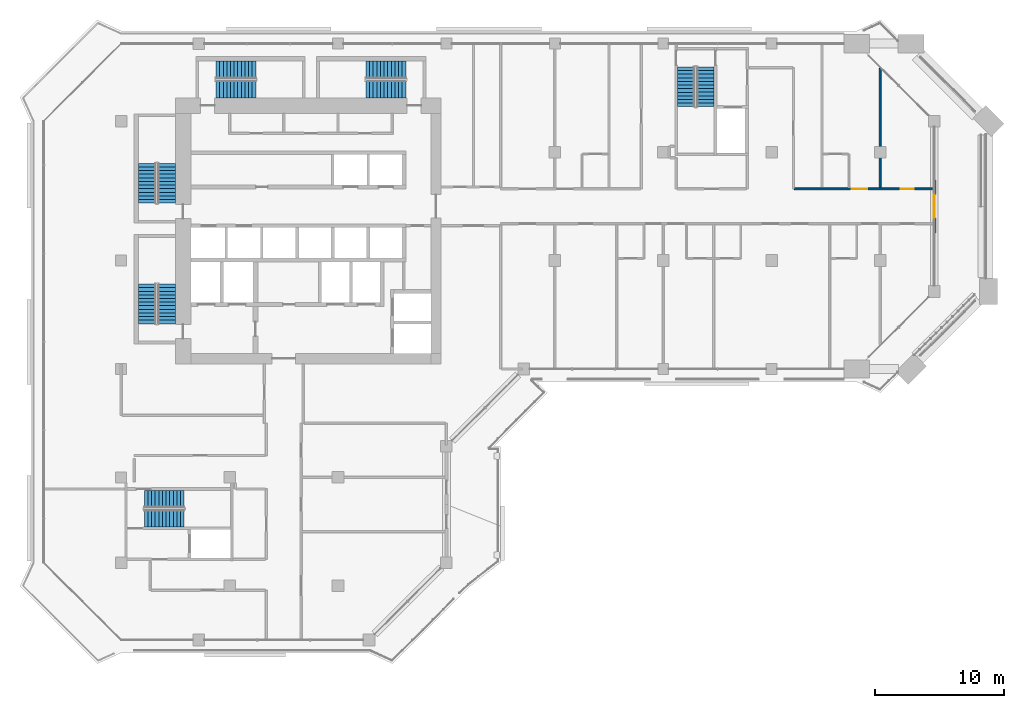
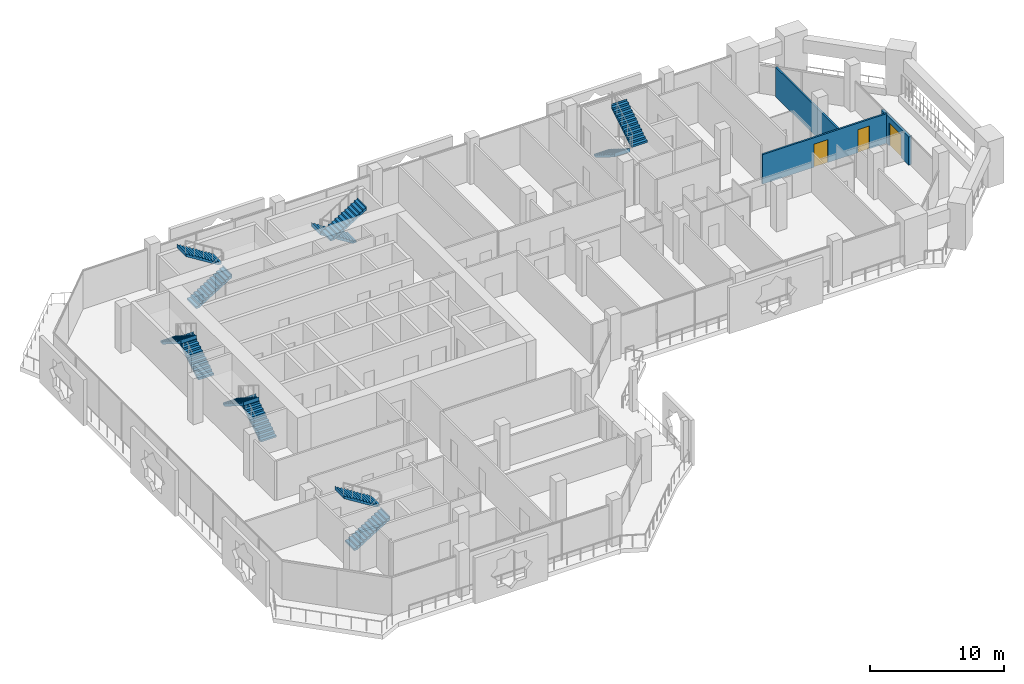
# One storey, part 14 of 21: 12 stair flights, 3 doors, 3 walls, 3 openings, 6 elements without a shape of their own.
"""IFC4 building model written with IfcOpenShell, lengths in metres."""

from ifc_helpers import new_model, si_unit, direction, frame, frame_2d, origin, place, context, subcontext, project, spatial, polyline, rectangle, outline, extrude, material, layer, layer_set, type_object, element, fill, aggregate, save


model = new_model("IFC4")

# Units and contexts
model_context = context("Model", 3, precision=1e-05, world=origin(), true_north=direction((0.0, 1.0)))
body_context = subcontext(model_context, "Body", "Model", "MODEL_VIEW")
ifc_project = project(units=[si_unit("LENGTHUNIT", "METRE"), si_unit("AREAUNIT", "SQUARE_METRE"), si_unit("VOLUMEUNIT", "CUBIC_METRE"), si_unit("PLANEANGLEUNIT", "RADIAN"), si_unit("MASSUNIT", "GRAM", prefix="KILO")], contexts=[model_context])

# Site, building, storey
site_placement = place(None, origin())
site = spatial("IfcSite", under=ifc_project, at=site_placement, CompositionType="ELEMENT")
building_placement = place(site_placement, origin())
building = spatial("IfcBuilding", under=site, at=building_placement, Name="Kawkab Arch Medical Tower", CompositionType="ELEMENT")
storey_placement = place(building_placement, frame((0.0, 0.0, 230.60009765625)))
storey = spatial("IfcBuildingStorey", under=building, at=storey_placement, Name="L53", CompositionType="ELEMENT", Elevation=230.60009765625)

# Wall, opening, door
ifc_material_1 = material(Name="Bronze clad insulated wall panel")
ifc_layer_1 = layer(ifc_material_1, 0.25)
ifc_layer_set_1 = layer_set([ifc_layer_1], Name="Bronze clad insulated wall panel")
wall_type_1 = type_object("IfcWallType", Name="External wall bay 250", PredefinedType="SOLIDWALL", material=ifc_layer_set_1)
wall_1_placement = place(storey_placement, frame((63.0, -14.64990234375, 0.0), z_axis=(0.0, 0.0, 1.0), x_axis=(0.0, 1.0, 0.0)))
wall_1 = element("IfcWall", 1, at=wall_1_placement, inside=storey, type_object=wall_type_1, Name="External wall bay L53.R09.1.2", PredefinedType="SOLIDWALL", context=body_context, shape_type="SweptSolid", body=[
    extrude(rectangle(XDim=4.099853515625, YDim=0.25, at=frame_2d((2.0498046875, 0.0))), origin(), (0.0, 0.0, 1.0), 2.579833984375),
])
opening_1_placement = place(wall_1_placement, frame((1.14990234375, 0.0, 0.0)))
opening_1 = element("IfcOpeningElement", 2, at=opening_1_placement, cuts=wall_1, Name="Opening W53-702", PredefinedType="OPENING", context=body_context, shape_type="SweptSolid", body=[
    extrude(rectangle(XDim=1.800048828125, YDim=2.10009765625, at=frame_2d((0.89990234375, 1.050048828125))), frame((0.0, 0.135009765625, 0.0), z_axis=(0.0, -1.0, 0.0), x_axis=(1.0, 0.0, 0.0)), (0.0, 0.0, 1.0), 0.27001953125),
])
ifc_material_2 = material(Name="Bronze anodised aluminium door with tinted glass", Category="aluminium")
door_type_1 = type_object("IfcDoorType", Name="Double external door 1800 x 2100", OperationType="DOUBLE_DOOR_SINGLE_SWING", PredefinedType="DOOR", material=ifc_material_2)
door_1_placement = place(opening_1_placement, origin())
door_1 = element("IfcDoor", 3, at=door_1_placement, inside=storey, type_object=door_type_1, Name="External door L53.R09.1.2", OperationType="DOUBLE_DOOR_SINGLE_SWING", OverallHeight=2.10009765625, OverallWidth=1.800048828125, PredefinedType="DOOR", context=body_context, shape_type="SweptSolid", body=[
    extrude(rectangle(XDim=1.800048828125, YDim=2.10009765625, at=frame_2d((0.89990234375, 1.050048828125))), frame((0.0, 0.02490234375, 0.0), z_axis=(0.0, -1.0, 0.0), x_axis=(1.0, 0.0, 0.0)), (0.0, 0.0, 1.0), 0.050048828125),
])
fill(opening_1, door_1)

# Wall, openings, doors
ifc_material_3 = material(Name="Gypsum board partition on steel studs, mineral wool", Category="steel")
ifc_layer_2 = layer(ifc_material_3, 0.14990234375)
ifc_layer_set_2 = layer_set([ifc_layer_2], Name="Gypsum board partition on steel studs, mineral wool")
wall_type_2 = type_object("IfcWallType", Name="Partition 150", PredefinedType="PARTITIONING", material=ifc_layer_set_2)
wall_2_placement = place(storey_placement, frame((52.16796875, -11.25, 0.0), z_axis=(0.0, 0.0, 1.0), x_axis=(1.0, 0.0, 0.0)))
wall_2 = element("IfcWall", 4, at=wall_2_placement, inside=storey, type_object=wall_type_2, Name="Partition 150 w026", PredefinedType="PARTITIONING", context=body_context, shape_type="SweptSolid", body=[
    extrude(rectangle(XDim=10.751953125, YDim=0.14990234375, at=frame_2d((5.3759765625, 0.0))), origin(), (0.0, 0.0, 1.0), 2.699951171875),
])
opening_2_placement = place(wall_2_placement, frame((4.431884765625, 0.0, 0.0)))
opening_2 = element("IfcOpeningElement", 5, at=opening_2_placement, cuts=wall_2, Name="Opening W53-025", PredefinedType="OPENING", context=body_context, shape_type="SweptSolid", body=[
    extrude(rectangle(XDim=1.199951171875, YDim=2.10009765625, at=frame_2d((0.60009765625, 1.050048828125))), frame((0.0, 0.0849609375, 0.0), z_axis=(0.0, -1.0, 0.0), x_axis=(1.0, 0.0, 0.0)), (0.0, 0.0, 1.0), 0.169921875),
])
opening_3_placement = place(wall_2_placement, frame((8.23193359375, 0.0, 0.0)))
opening_3 = element("IfcOpeningElement", 6, at=opening_3_placement, cuts=wall_2, Name="Opening W53-014", PredefinedType="OPENING", context=body_context, shape_type="SweptSolid", body=[
    extrude(rectangle(XDim=1.0, YDim=2.10009765625, at=frame_2d((0.5, 1.050048828125))), frame((0.0, 0.0849609375, 0.0), z_axis=(0.0, -1.0, 0.0), x_axis=(1.0, 0.0, 0.0)), (0.0, 0.0, 1.0), 0.169921875),
])
ifc_material_4 = material(Name="Hollow metal door leaf")
door_type_2 = type_object("IfcDoorType", Name="Single door 1000x2100 FD30S", OperationType="NOTDEFINED", PredefinedType="DOOR", material=ifc_material_4)
door_2_placement = place(opening_3_placement, origin())
door_2 = element("IfcDoor", 7, at=door_2_placement, inside=storey, type_object=door_type_2, Name="Door W53-014", OperationType="SINGLE_SWING_RIGHT", OverallHeight=2.10009765625, OverallWidth=1.0, PredefinedType="DOOR", context=body_context, shape_type="SweptSolid", body=[
    extrude(rectangle(XDim=1.0, YDim=2.10009765625, at=frame_2d((0.5, 1.050048828125))), frame((0.0, 0.02490234375, 0.0), z_axis=(0.0, -1.0, 0.0), x_axis=(1.0, 0.0, 0.0)), (0.0, 0.0, 1.0), 0.050048828125),
])
fill(opening_3, door_2)
ifc_material_5 = material(Name="Hollow metal door leaf")
door_type_3 = type_object("IfcDoorType", Name="Single door 1200x2100 FD30S", OperationType="NOTDEFINED", PredefinedType="DOOR", material=ifc_material_5)
door_3_placement = place(opening_2_placement, origin())
door_3 = element("IfcDoor", 8, at=door_3_placement, inside=storey, type_object=door_type_3, Name="Door W53-025", OperationType="SINGLE_SWING_LEFT", OverallHeight=2.10009765625, OverallWidth=1.199951171875, PredefinedType="DOOR", context=body_context, shape_type="SweptSolid", body=[
    extrude(rectangle(XDim=1.199951171875, YDim=2.10009765625, at=frame_2d((0.60009765625, 1.050048828125))), frame((0.0, 0.02490234375, 0.0), z_axis=(0.0, -1.0, 0.0), x_axis=(1.0, 0.0, 0.0)), (0.0, 0.0, 1.0), 0.050048828125),
])
fill(opening_2, door_3)

# Wall
wall_3_placement = place(storey_placement, frame((58.800048828125, -11.175048828125, 0.0), z_axis=(0.0, 0.0, 1.0), x_axis=(0.0, 1.0, 0.0)))
element("IfcWall", 9, at=wall_3_placement, inside=storey, type_object=wall_type_2, Name="Partition 150 w061", PredefinedType="PARTITIONING", context=body_context, shape_type="SweptSolid", body=[
    extrude(rectangle(XDim=9.261962890625, YDim=0.14990234375, at=frame_2d((4.630859375, 0.0))), origin(), (0.0, 0.0, 1.0), 2.699951171875),
])

# Stair, stair flights
ifc_material_6 = material(Name="Concrete C40/50", Category="concrete")
stair_type = type_object("IfcStairType", Name="Exit stair 1350", PredefinedType="HALF_TURN_STAIR", material=ifc_material_6)
placement = place(storey_placement, origin())
stair_1 = element("IfcStair", 10, at=placement, inside=storey, type_object=stair_type, Name="L53 Exit stair ST1", PredefinedType="HALF_TURN_STAIR")
ifc_material_7 = material(Name="Concrete C40/50", Category="concrete")
stair_flight_type = type_object("IfcStairFlightType", Name="Exit stair flight 1350", PredefinedType="STRAIGHT", material=ifc_material_7)
stair_flight_1_placement = place(storey_placement, frame((3.52490234375, -12.35009765625, 0.0), z_axis=(0.0, 0.0, 1.0), x_axis=(0.0, 1.0, 0.0)))
stair_flight_1 = element("IfcStairFlight", 11, at=stair_flight_1_placement, type_object=stair_flight_type, Name="ST1 flight 1", NumberOfRisers=12, NumberOfTreads=11, PredefinedType="STRAIGHT", RiserHeight=0.175, TreadLength=0.28, context=body_context, shape_type="SweptSolid", body=[
    extrude(outline(polyline([(-0.0029296875, 0.0), (-0.0029296875, 0.175048828125), (0.0, 0.175048828125), (0.280029296875, 0.175048828125), (0.280029296875, 0.35009765625), (0.56005859375, 0.35009765625), (0.56005859375, 0.52490234375), (0.840087890625, 0.52490234375), (0.840087890625, 0.699951171875), (1.1201171875, 0.699951171875), (1.1201171875, 0.875), (1.39990234375, 0.875), (1.39990234375, 1.050048828125), (1.679931640625, 1.050048828125), (1.679931640625, 1.22509765625), (1.9599609375, 1.22509765625), (1.9599609375, 1.39990234375), (2.239990234375, 1.39990234375), (2.239990234375, 1.574951171875), (2.52001953125, 1.574951171875), (2.52001953125, 1.75), (2.800048828125, 1.75), (2.800048828125, 1.925048828125), (3.080078125, 1.925048828125), (3.080078125, 2.10009765625), (3.0830078125, 2.10009765625), (3.0830078125, 1.748291015625), (3.080078125, 1.748291015625), (0.28271484375, 0.0), (-0.0029296875, 0.0)])), frame((0.0, 0.675048828125, 0.0), z_axis=(0.0, -1.0, 0.0), x_axis=(1.0, 0.0, 0.0)), (0.0, 0.0, 1.0), 1.35009765625),
])
stair_flight_2_placement = place(storey_placement, frame((2.02490234375, -9.27001953125, 2.099853515625), z_axis=(0.0, 0.0, 1.0), x_axis=(0.0, -1.0, 0.0)))
stair_flight_2 = element("IfcStairFlight", 12, at=stair_flight_2_placement, type_object=stair_flight_type, Name="ST1 flight 2", NumberOfRisers=12, NumberOfTreads=11, PredefinedType="STRAIGHT", RiserHeight=0.175, TreadLength=0.28, context=body_context, shape_type="SweptSolid", body=[
    extrude(outline(polyline([(-0.0029296875, 0.0), (-0.0029296875, 0.175048828125), (0.0, 0.175048828125), (0.280029296875, 0.175048828125), (0.280029296875, 0.35009765625), (0.56005859375, 0.35009765625), (0.56005859375, 0.52490234375), (0.840087890625, 0.52490234375), (0.840087890625, 0.699951171875), (1.1201171875, 0.699951171875), (1.1201171875, 0.875), (1.39990234375, 0.875), (1.39990234375, 1.050048828125), (1.679931640625, 1.050048828125), (1.679931640625, 1.22509765625), (1.9599609375, 1.22509765625), (1.9599609375, 1.39990234375), (2.239990234375, 1.39990234375), (2.239990234375, 1.574951171875), (2.52001953125, 1.574951171875), (2.52001953125, 1.75), (2.800048828125, 1.75), (2.800048828125, 1.925048828125), (3.080078125, 1.925048828125), (3.080078125, 2.10009765625), (3.0830078125, 2.10009765625), (3.0830078125, 1.748291015625), (3.080078125, 1.748291015625), (0.28271484375, 0.0), (-0.0029296875, 0.0)])), frame((0.0, 0.675048828125, 0.0), z_axis=(0.0, -1.0, 0.0), x_axis=(1.0, 0.0, 0.0)), (0.0, 0.0, 1.0), 1.35009765625),
])
aggregate(stair_1, [stair_flight_1, stair_flight_2])

stair_2 = element("IfcStair", 13, at=placement, inside=storey, type_object=stair_type, Name="L53 Exit stair ST2", PredefinedType="HALF_TURN_STAIR")
stair_flight_3_placement = place(storey_placement, frame((3.52490234375, -21.699951171875, 0.0), z_axis=(0.0, 0.0, 1.0), x_axis=(0.0, 1.0, 0.0)))
stair_flight_3 = element("IfcStairFlight", 14, at=stair_flight_3_placement, type_object=stair_flight_type, Name="ST2 flight 1", NumberOfRisers=12, NumberOfTreads=11, PredefinedType="STRAIGHT", RiserHeight=0.175, TreadLength=0.28, context=body_context, shape_type="SweptSolid", body=[
    extrude(outline(polyline([(-0.0029296875, 0.0), (-0.0029296875, 0.175048828125), (0.0, 0.175048828125), (0.280029296875, 0.175048828125), (0.280029296875, 0.35009765625), (0.56005859375, 0.35009765625), (0.56005859375, 0.52490234375), (0.840087890625, 0.52490234375), (0.840087890625, 0.699951171875), (1.1201171875, 0.699951171875), (1.1201171875, 0.875), (1.39990234375, 0.875), (1.39990234375, 1.050048828125), (1.679931640625, 1.050048828125), (1.679931640625, 1.22509765625), (1.9599609375, 1.22509765625), (1.9599609375, 1.39990234375), (2.239990234375, 1.39990234375), (2.239990234375, 1.574951171875), (2.52001953125, 1.574951171875), (2.52001953125, 1.75), (2.800048828125, 1.75), (2.800048828125, 1.925048828125), (3.080078125, 1.925048828125), (3.080078125, 2.10009765625), (3.0830078125, 2.10009765625), (3.0830078125, 1.748291015625), (3.080078125, 1.748291015625), (0.28271484375, 0.0), (-0.0029296875, 0.0)])), frame((0.0, 0.675048828125, 0.0), z_axis=(0.0, -1.0, 0.0), x_axis=(1.0, 0.0, 0.0)), (0.0, 0.0, 1.0), 1.35009765625),
])
stair_flight_4_placement = place(storey_placement, frame((2.02490234375, -18.6201171875, 2.099853515625), z_axis=(0.0, 0.0, 1.0), x_axis=(0.0, -1.0, 0.0)))
stair_flight_4 = element("IfcStairFlight", 15, at=stair_flight_4_placement, type_object=stair_flight_type, Name="ST2 flight 2", NumberOfRisers=12, NumberOfTreads=11, PredefinedType="STRAIGHT", RiserHeight=0.175, TreadLength=0.28, context=body_context, shape_type="SweptSolid", body=[
    extrude(outline(polyline([(-0.0029296875, 0.0), (-0.0029296875, 0.175048828125), (0.0, 0.175048828125), (0.280029296875, 0.175048828125), (0.280029296875, 0.35009765625), (0.56005859375, 0.35009765625), (0.56005859375, 0.52490234375), (0.840087890625, 0.52490234375), (0.840087890625, 0.699951171875), (1.1201171875, 0.699951171875), (1.1201171875, 0.875), (1.39990234375, 0.875), (1.39990234375, 1.050048828125), (1.679931640625, 1.050048828125), (1.679931640625, 1.22509765625), (1.9599609375, 1.22509765625), (1.9599609375, 1.39990234375), (2.239990234375, 1.39990234375), (2.239990234375, 1.574951171875), (2.52001953125, 1.574951171875), (2.52001953125, 1.75), (2.800048828125, 1.75), (2.800048828125, 1.925048828125), (3.080078125, 1.925048828125), (3.080078125, 2.10009765625), (3.0830078125, 2.10009765625), (3.0830078125, 1.748291015625), (3.080078125, 1.748291015625), (0.28271484375, 0.0), (-0.0029296875, 0.0)])), frame((0.0, 0.675048828125, 0.0), z_axis=(0.0, -1.0, 0.0), x_axis=(1.0, 0.0, 0.0)), (0.0, 0.0, 1.0), 1.35009765625),
])
aggregate(stair_2, [stair_flight_3, stair_flight_4])

stair_3 = element("IfcStair", 16, at=placement, inside=storey, type_object=stair_type, Name="L53 Exit stair ST3", PredefinedType="HALF_TURN_STAIR")
stair_flight_5_placement = place(storey_placement, frame((7.35009765625, -3.52490234375, 0.0), z_axis=(0.0, 0.0, 1.0), x_axis=(1.0, 0.0, 0.0)))
stair_flight_5 = element("IfcStairFlight", 17, at=stair_flight_5_placement, type_object=stair_flight_type, Name="ST3 flight 1", NumberOfRisers=12, NumberOfTreads=11, PredefinedType="STRAIGHT", RiserHeight=0.175, TreadLength=0.28, context=body_context, shape_type="SweptSolid", body=[
    extrude(outline(polyline([(-0.0029296875, 0.0), (-0.0029296875, 0.175048828125), (0.0, 0.175048828125), (0.280029296875, 0.175048828125), (0.280029296875, 0.35009765625), (0.56005859375, 0.35009765625), (0.56005859375, 0.52490234375), (0.840087890625, 0.52490234375), (0.840087890625, 0.699951171875), (1.1201171875, 0.699951171875), (1.1201171875, 0.875), (1.39990234375, 0.875), (1.39990234375, 1.050048828125), (1.679931640625, 1.050048828125), (1.679931640625, 1.22509765625), (1.9599609375, 1.22509765625), (1.9599609375, 1.39990234375), (2.239990234375, 1.39990234375), (2.239990234375, 1.574951171875), (2.52001953125, 1.574951171875), (2.52001953125, 1.75), (2.800048828125, 1.75), (2.800048828125, 1.925048828125), (3.080078125, 1.925048828125), (3.080078125, 2.10009765625), (3.0830078125, 2.10009765625), (3.0830078125, 1.748291015625), (3.080078125, 1.748291015625), (0.28271484375, 0.0), (-0.0029296875, 0.0)])), frame((0.0, 0.675048828125, 0.0), z_axis=(0.0, -1.0, 0.0), x_axis=(1.0, 0.0, 0.0)), (0.0, 0.0, 1.0), 1.35009765625),
])
stair_flight_6_placement = place(storey_placement, frame((10.429931640625, -2.02490234375, 2.099853515625), z_axis=(0.0, 0.0, 1.0), x_axis=(-1.0, 0.0, 0.0)))
stair_flight_6 = element("IfcStairFlight", 18, at=stair_flight_6_placement, type_object=stair_flight_type, Name="ST3 flight 2", NumberOfRisers=12, NumberOfTreads=11, PredefinedType="STRAIGHT", RiserHeight=0.175, TreadLength=0.28, context=body_context, shape_type="SweptSolid", body=[
    extrude(outline(polyline([(-0.0029296875, 0.0), (-0.0029296875, 0.175048828125), (0.0, 0.175048828125), (0.280029296875, 0.175048828125), (0.280029296875, 0.35009765625), (0.56005859375, 0.35009765625), (0.56005859375, 0.52490234375), (0.840087890625, 0.52490234375), (0.840087890625, 0.699951171875), (1.1201171875, 0.699951171875), (1.1201171875, 0.875), (1.39990234375, 0.875), (1.39990234375, 1.050048828125), (1.679931640625, 1.050048828125), (1.679931640625, 1.22509765625), (1.9599609375, 1.22509765625), (1.9599609375, 1.39990234375), (2.239990234375, 1.39990234375), (2.239990234375, 1.574951171875), (2.52001953125, 1.574951171875), (2.52001953125, 1.75), (2.800048828125, 1.75), (2.800048828125, 1.925048828125), (3.080078125, 1.925048828125), (3.080078125, 2.10009765625), (3.0830078125, 2.10009765625), (3.0830078125, 1.748291015625), (3.080078125, 1.748291015625), (0.28271484375, 0.0), (-0.0029296875, 0.0)])), frame((0.0, 0.675048828125, 0.0), z_axis=(0.0, -1.0, 0.0), x_axis=(1.0, 0.0, 0.0)), (0.0, 0.0, 1.0), 1.35009765625),
])
aggregate(stair_3, [stair_flight_5, stair_flight_6])

stair_4 = element("IfcStair", 19, at=placement, inside=storey, type_object=stair_type, Name="L53 Exit stair ST4", PredefinedType="HALF_TURN_STAIR")
stair_flight_7_placement = place(storey_placement, frame((22.050048828125, -2.02490234375, 0.0), z_axis=(0.0, 0.0, 1.0), x_axis=(-1.0, 0.0, 0.0)))
stair_flight_7 = element("IfcStairFlight", 20, at=stair_flight_7_placement, type_object=stair_flight_type, Name="ST4 flight 1", NumberOfRisers=12, NumberOfTreads=11, PredefinedType="STRAIGHT", RiserHeight=0.175, TreadLength=0.28, context=body_context, shape_type="SweptSolid", body=[
    extrude(outline(polyline([(-0.0029296875, 0.0), (-0.0029296875, 0.175048828125), (0.0, 0.175048828125), (0.280029296875, 0.175048828125), (0.280029296875, 0.35009765625), (0.56005859375, 0.35009765625), (0.56005859375, 0.52490234375), (0.840087890625, 0.52490234375), (0.840087890625, 0.699951171875), (1.1201171875, 0.699951171875), (1.1201171875, 0.875), (1.39990234375, 0.875), (1.39990234375, 1.050048828125), (1.679931640625, 1.050048828125), (1.679931640625, 1.22509765625), (1.9599609375, 1.22509765625), (1.9599609375, 1.39990234375), (2.239990234375, 1.39990234375), (2.239990234375, 1.574951171875), (2.52001953125, 1.574951171875), (2.52001953125, 1.75), (2.800048828125, 1.75), (2.800048828125, 1.925048828125), (3.080078125, 1.925048828125), (3.080078125, 2.10009765625), (3.0830078125, 2.10009765625), (3.0830078125, 1.748291015625), (3.080078125, 1.748291015625), (0.28271484375, 0.0), (-0.0029296875, 0.0)])), frame((0.0, 0.675048828125, 0.0), z_axis=(0.0, -1.0, 0.0), x_axis=(1.0, 0.0, 0.0)), (0.0, 0.0, 1.0), 1.35009765625),
])
stair_flight_8_placement = place(storey_placement, frame((18.969970703125, -3.52490234375, 2.099853515625), z_axis=(0.0, 0.0, 1.0), x_axis=(1.0, 0.0, 0.0)))
stair_flight_8 = element("IfcStairFlight", 21, at=stair_flight_8_placement, type_object=stair_flight_type, Name="ST4 flight 2", NumberOfRisers=12, NumberOfTreads=11, PredefinedType="STRAIGHT", RiserHeight=0.175, TreadLength=0.28, context=body_context, shape_type="SweptSolid", body=[
    extrude(outline(polyline([(-0.0029296875, 0.0), (-0.0029296875, 0.175048828125), (0.0, 0.175048828125), (0.280029296875, 0.175048828125), (0.280029296875, 0.35009765625), (0.56005859375, 0.35009765625), (0.56005859375, 0.52490234375), (0.840087890625, 0.52490234375), (0.840087890625, 0.699951171875), (1.1201171875, 0.699951171875), (1.1201171875, 0.875), (1.39990234375, 0.875), (1.39990234375, 1.050048828125), (1.679931640625, 1.050048828125), (1.679931640625, 1.22509765625), (1.9599609375, 1.22509765625), (1.9599609375, 1.39990234375), (2.239990234375, 1.39990234375), (2.239990234375, 1.574951171875), (2.52001953125, 1.574951171875), (2.52001953125, 1.75), (2.800048828125, 1.75), (2.800048828125, 1.925048828125), (3.080078125, 1.925048828125), (3.080078125, 2.10009765625), (3.0830078125, 2.10009765625), (3.0830078125, 1.748291015625), (3.080078125, 1.748291015625), (0.28271484375, 0.0), (-0.0029296875, 0.0)])), frame((0.0, 0.675048828125, 0.0), z_axis=(0.0, -1.0, 0.0), x_axis=(1.0, 0.0, 0.0)), (0.0, 0.0, 1.0), 1.35009765625),
])
aggregate(stair_4, [stair_flight_7, stair_flight_8])

stair_5 = element("IfcStair", 22, at=placement, inside=storey, type_object=stair_type, Name="L53 Exit stair ST5", PredefinedType="HALF_TURN_STAIR")
stair_flight_9_placement = place(storey_placement, frame((43.77490234375, -1.800048828125, 0.0), z_axis=(0.0, 0.0, 1.0), x_axis=(0.0, -1.0, 0.0)))
stair_flight_9 = element("IfcStairFlight", 23, at=stair_flight_9_placement, type_object=stair_flight_type, Name="ST5 flight 1", NumberOfRisers=12, NumberOfTreads=11, PredefinedType="STRAIGHT", RiserHeight=0.175, TreadLength=0.28, context=body_context, shape_type="SweptSolid", body=[
    extrude(outline(polyline([(-0.0029296875, 0.0), (-0.0029296875, 0.175048828125), (0.0, 0.175048828125), (0.280029296875, 0.175048828125), (0.280029296875, 0.35009765625), (0.56005859375, 0.35009765625), (0.56005859375, 0.52490234375), (0.840087890625, 0.52490234375), (0.840087890625, 0.699951171875), (1.1201171875, 0.699951171875), (1.1201171875, 0.875), (1.39990234375, 0.875), (1.39990234375, 1.050048828125), (1.679931640625, 1.050048828125), (1.679931640625, 1.22509765625), (1.9599609375, 1.22509765625), (1.9599609375, 1.39990234375), (2.239990234375, 1.39990234375), (2.239990234375, 1.574951171875), (2.52001953125, 1.574951171875), (2.52001953125, 1.75), (2.800048828125, 1.75), (2.800048828125, 1.925048828125), (3.080078125, 1.925048828125), (3.080078125, 2.10009765625), (3.0830078125, 2.10009765625), (3.0830078125, 1.748291015625), (3.080078125, 1.748291015625), (0.28271484375, 0.0), (-0.0029296875, 0.0)])), frame((0.0, 0.675048828125, 0.0), z_axis=(0.0, -1.0, 0.0), x_axis=(1.0, 0.0, 0.0)), (0.0, 0.0, 1.0), 1.35009765625),
])
stair_flight_10_placement = place(storey_placement, frame((45.27490234375, -4.8798828125, 2.099853515625), z_axis=(0.0, 0.0, 1.0), x_axis=(0.0, 1.0, 0.0)))
stair_flight_10 = element("IfcStairFlight", 24, at=stair_flight_10_placement, type_object=stair_flight_type, Name="ST5 flight 2", NumberOfRisers=12, NumberOfTreads=11, PredefinedType="STRAIGHT", RiserHeight=0.175, TreadLength=0.28, context=body_context, shape_type="SweptSolid", body=[
    extrude(outline(polyline([(-0.0029296875, 0.0), (-0.0029296875, 0.175048828125), (0.0, 0.175048828125), (0.280029296875, 0.175048828125), (0.280029296875, 0.35009765625), (0.56005859375, 0.35009765625), (0.56005859375, 0.52490234375), (0.840087890625, 0.52490234375), (0.840087890625, 0.699951171875), (1.1201171875, 0.699951171875), (1.1201171875, 0.875), (1.39990234375, 0.875), (1.39990234375, 1.050048828125), (1.679931640625, 1.050048828125), (1.679931640625, 1.22509765625), (1.9599609375, 1.22509765625), (1.9599609375, 1.39990234375), (2.239990234375, 1.39990234375), (2.239990234375, 1.574951171875), (2.52001953125, 1.574951171875), (2.52001953125, 1.75), (2.800048828125, 1.75), (2.800048828125, 1.925048828125), (3.080078125, 1.925048828125), (3.080078125, 2.10009765625), (3.0830078125, 2.10009765625), (3.0830078125, 1.748291015625), (3.080078125, 1.748291015625), (0.28271484375, 0.0), (-0.0029296875, 0.0)])), frame((0.0, 0.675048828125, 0.0), z_axis=(0.0, -1.0, 0.0), x_axis=(1.0, 0.0, 0.0)), (0.0, 0.0, 1.0), 1.35009765625),
])
aggregate(stair_5, [stair_flight_9, stair_flight_10])

stair_6 = element("IfcStair", 25, at=placement, inside=storey, type_object=stair_type, Name="L53 Exit stair ST6", PredefinedType="HALF_TURN_STAIR")
stair_flight_11_placement = place(storey_placement, frame((1.800048828125, -36.77490234375, 0.0), z_axis=(0.0, 0.0, 1.0), x_axis=(1.0, 0.0, 0.0)))
stair_flight_11 = element("IfcStairFlight", 26, at=stair_flight_11_placement, type_object=stair_flight_type, Name="ST6 flight 1", NumberOfRisers=12, NumberOfTreads=11, PredefinedType="STRAIGHT", RiserHeight=0.175, TreadLength=0.28, context=body_context, shape_type="SweptSolid", body=[
    extrude(outline(polyline([(-0.0029296875, 0.0), (-0.0029296875, 0.175048828125), (0.0, 0.175048828125), (0.280029296875, 0.175048828125), (0.280029296875, 0.35009765625), (0.56005859375, 0.35009765625), (0.56005859375, 0.52490234375), (0.840087890625, 0.52490234375), (0.840087890625, 0.699951171875), (1.1201171875, 0.699951171875), (1.1201171875, 0.875), (1.39990234375, 0.875), (1.39990234375, 1.050048828125), (1.679931640625, 1.050048828125), (1.679931640625, 1.22509765625), (1.9599609375, 1.22509765625), (1.9599609375, 1.39990234375), (2.239990234375, 1.39990234375), (2.239990234375, 1.574951171875), (2.52001953125, 1.574951171875), (2.52001953125, 1.75), (2.800048828125, 1.75), (2.800048828125, 1.925048828125), (3.080078125, 1.925048828125), (3.080078125, 2.10009765625), (3.0830078125, 2.10009765625), (3.0830078125, 1.748291015625), (3.080078125, 1.748291015625), (0.28271484375, 0.0), (-0.0029296875, 0.0)])), frame((0.0, 0.675048828125, 0.0), z_axis=(0.0, -1.0, 0.0), x_axis=(1.0, 0.0, 0.0)), (0.0, 0.0, 1.0), 1.35009765625),
])
stair_flight_12_placement = place(storey_placement, frame((4.8798828125, -35.27490234375, 2.099853515625), z_axis=(0.0, 0.0, 1.0), x_axis=(-1.0, 0.0, 0.0)))
stair_flight_12 = element("IfcStairFlight", 27, at=stair_flight_12_placement, type_object=stair_flight_type, Name="ST6 flight 2", NumberOfRisers=12, NumberOfTreads=11, PredefinedType="STRAIGHT", RiserHeight=0.175, TreadLength=0.28, context=body_context, shape_type="SweptSolid", body=[
    extrude(outline(polyline([(-0.0029296875, 0.0), (-0.0029296875, 0.175048828125), (0.0, 0.175048828125), (0.280029296875, 0.175048828125), (0.280029296875, 0.35009765625), (0.56005859375, 0.35009765625), (0.56005859375, 0.52490234375), (0.840087890625, 0.52490234375), (0.840087890625, 0.699951171875), (1.1201171875, 0.699951171875), (1.1201171875, 0.875), (1.39990234375, 0.875), (1.39990234375, 1.050048828125), (1.679931640625, 1.050048828125), (1.679931640625, 1.22509765625), (1.9599609375, 1.22509765625), (1.9599609375, 1.39990234375), (2.239990234375, 1.39990234375), (2.239990234375, 1.574951171875), (2.52001953125, 1.574951171875), (2.52001953125, 1.75), (2.800048828125, 1.75), (2.800048828125, 1.925048828125), (3.080078125, 1.925048828125), (3.080078125, 2.10009765625), (3.0830078125, 2.10009765625), (3.0830078125, 1.748291015625), (3.080078125, 1.748291015625), (0.28271484375, 0.0), (-0.0029296875, 0.0)])), frame((0.0, 0.675048828125, 0.0), z_axis=(0.0, -1.0, 0.0), x_axis=(1.0, 0.0, 0.0)), (0.0, 0.0, 1.0), 1.35009765625),
])
aggregate(stair_6, [stair_flight_11, stair_flight_12])

save(model, "model.ifc")
